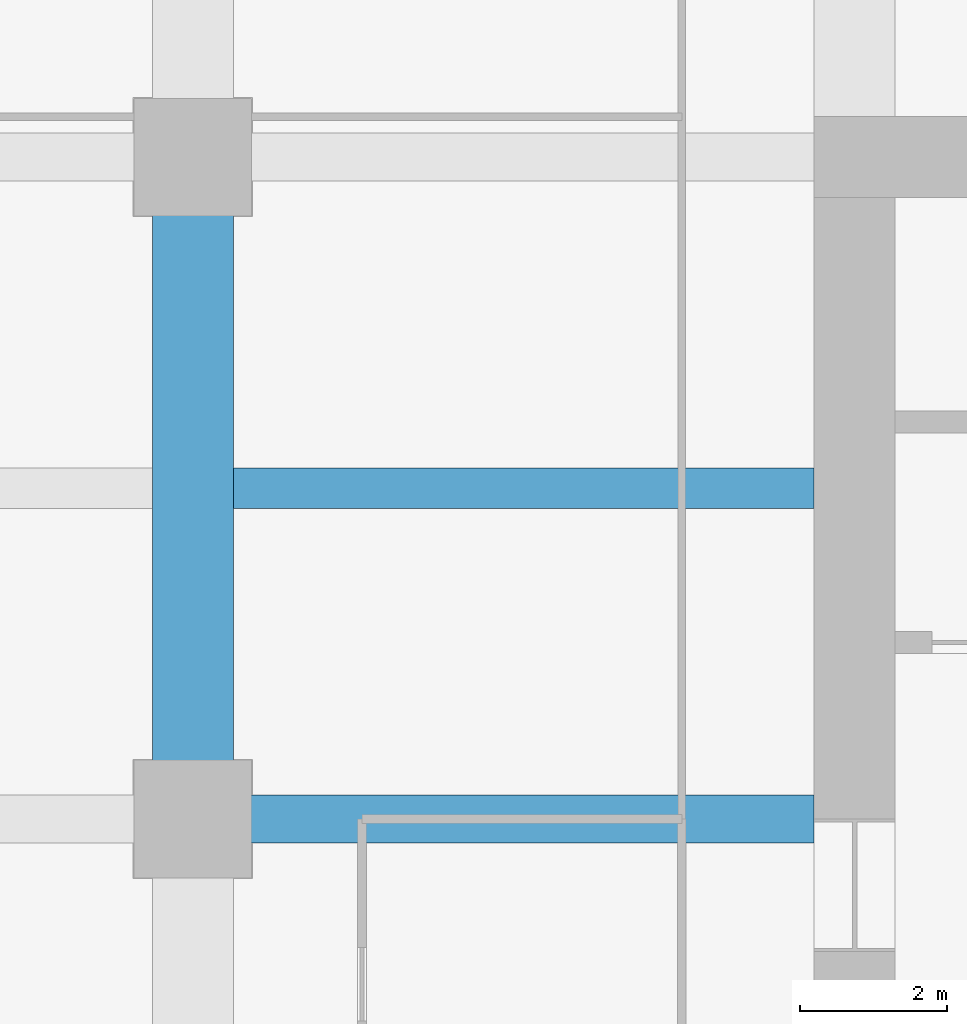
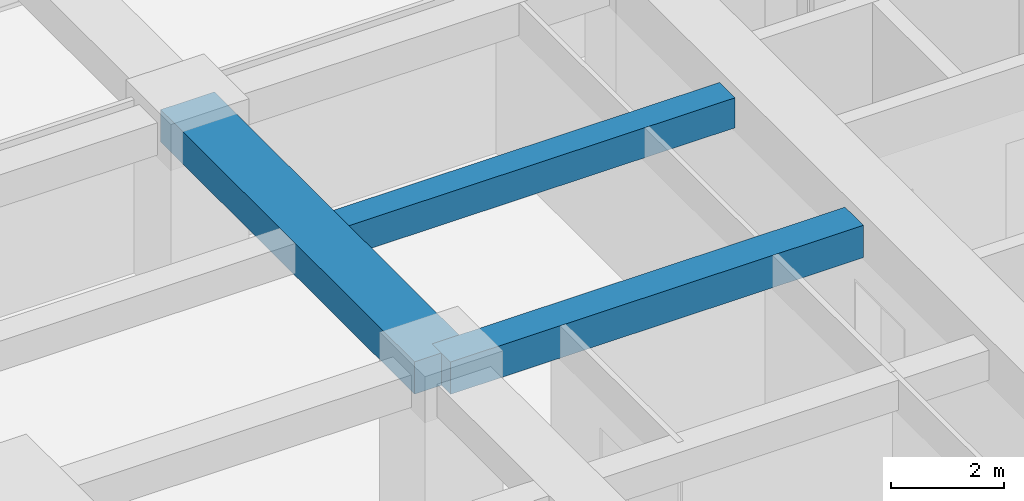
# One storey, part 12 of 33: 3 beams.
"""IFC4 building model written with IfcOpenShell, lengths in metres."""

from ifc_helpers import new_model, si_unit, direction, frame, origin, origin_2d, place, context, subcontext, project, spatial, rectangle, extrude, material, material_profile, profile_set, type_object, element, save


model = new_model("IFC4")

# Units and contexts
model_context = context("Model", 3, precision=1e-05, world=origin(), true_north=direction((0.0, 1.0)))
body_context = subcontext(model_context, "Body", "Model", "MODEL_VIEW")
ifc_project = project(units=[si_unit("LENGTHUNIT", "METRE"), si_unit("AREAUNIT", "SQUARE_METRE"), si_unit("VOLUMEUNIT", "CUBIC_METRE"), si_unit("PLANEANGLEUNIT", "RADIAN"), si_unit("MASSUNIT", "GRAM", prefix="KILO")], contexts=[model_context])

# Site, building, storey
site_placement = place(None, origin())
site = spatial("IfcSite", under=ifc_project, at=site_placement, CompositionType="ELEMENT")
building_placement = place(site_placement, origin())
building = spatial("IfcBuilding", under=site, at=building_placement, Name="Zorevar Civic Tower", CompositionType="ELEMENT")
storey_placement = place(building_placement, frame((0.0, 0.0, 178.199951171875)))
storey = spatial("IfcBuildingStorey", under=building, at=storey_placement, Name="L43", CompositionType="ELEMENT", Elevation=178.199951171875)

# Beams
ifc_material_1 = material(Name="Concrete C50/60", Category="concrete")
ifc_material_profile_1 = material_profile(ifc_material_1, rectangle(XDim=1.10009765625, YDim=0.699951171875, at=origin_2d()), Name="RC 1100x700")
ifc_profile_set_1 = profile_set([ifc_material_profile_1], Name="Concrete C50/60")
beam_type_1 = type_object("IfcBeamType", Name="Beam RC 1100x700", PredefinedType="BEAM", material=ifc_profile_set_1)
beam_1_placement = place(storey_placement, frame((9.0, 27.0, 3.400146484375), z_axis=(0.0, 1.0, 0.0), x_axis=(-1.0, 0.0, 0.0)))
element("IfcBeam", 1, at=beam_1_placement, inside=storey, type_object=beam_type_1, Name="Girder L44", PredefinedType="BEAM", context=body_context, shape_type="SweptSolid", body=[
    extrude(rectangle(XDim=1.10009765625, YDim=0.699951171875, at=origin_2d()), origin(), (0.0, 0.0, 1.0), 9.0),
])
ifc_material_2 = material(Name="Concrete C50/60", Category="concrete")
ifc_material_profile_2 = material_profile(ifc_material_2, rectangle(XDim=0.550048828125, YDim=0.64990234375, at=origin_2d()), Name="RC 550x650")
ifc_profile_set_2 = profile_set([ifc_material_profile_2], Name="Concrete C50/60")
beam_type_2 = type_object("IfcBeamType", Name="Beam RC 550x650", PredefinedType="BEAM", material=ifc_profile_set_2)
beam_2_placement = place(storey_placement, frame((9.550048828125, 31.5, 3.425048828125), z_axis=(1.0, 0.0, 0.0), x_axis=(0.0, 1.0, 0.0)))
element("IfcBeam", 2, at=beam_2_placement, inside=storey, type_object=beam_type_2, Name="Secondary beam L44", PredefinedType="BEAM", context=body_context, shape_type="SweptSolid", body=[
    extrude(rectangle(XDim=0.550048828125, YDim=0.64990234375, at=origin_2d()), origin(), (0.0, 0.0, 1.0), 7.89990234375),
])
ifc_material_3 = material(Name="Concrete C50/60", Category="concrete")
ifc_material_profile_3 = material_profile(ifc_material_3, rectangle(XDim=0.64990234375, YDim=0.699951171875, at=origin_2d()), Name="RC 650x700")
ifc_profile_set_3 = profile_set([ifc_material_profile_3], Name="Concrete C50/60")
beam_type_3 = type_object("IfcBeamType", Name="Beam RC 650x700", PredefinedType="BEAM", material=ifc_profile_set_3)
beam_3_placement = place(storey_placement, frame((9.0, 27.0, 3.400146484375), z_axis=(1.0, 0.0, 0.0), x_axis=(0.0, 1.0, 0.0)))
element("IfcBeam", 3, at=beam_3_placement, inside=storey, type_object=beam_type_3, Name="Girder L44", PredefinedType="BEAM", context=body_context, shape_type="SweptSolid", body=[
    extrude(rectangle(XDim=0.64990234375, YDim=0.699951171875, at=origin_2d()), origin(), (0.0, 0.0, 1.0), 8.449951171875),
])

save(model, "model.ifc")
